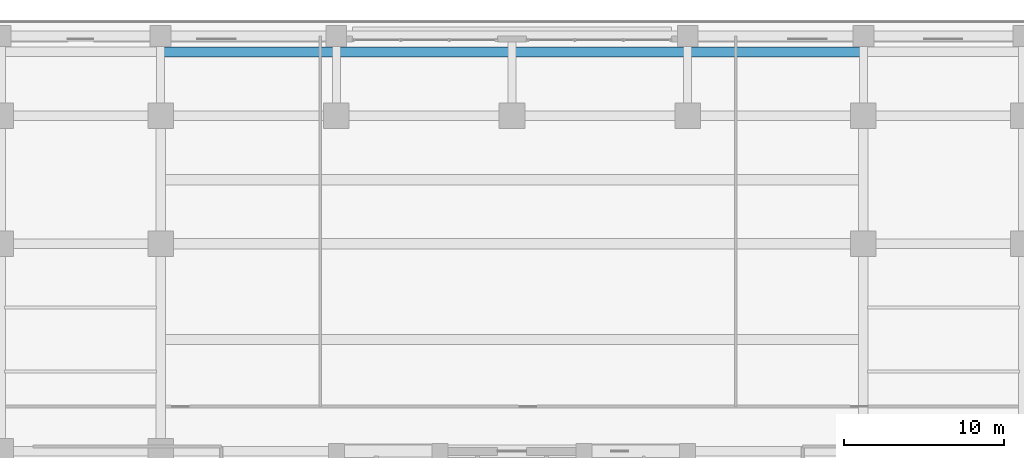
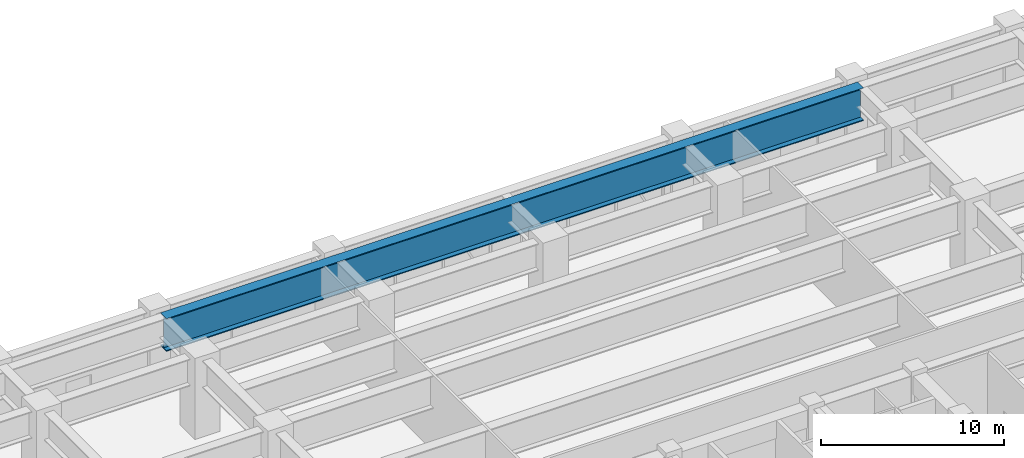
# One storey, part 9 of 28: 1 beam.
"""IFC4 building model written with IfcOpenShell, lengths in metres."""

from ifc_helpers import new_model, si_unit, direction, frame, origin, origin_2d, place, context, subcontext, project, spatial, i_section, extrude, source, transform, mapped, material, material_profile, profile_set, type_object, element, save


model = new_model("IFC4")

# Units and contexts
model_context = context("Model", 3, precision=1e-05, world=origin(), true_north=direction((0.0, 1.0)))
body_context = subcontext(model_context, "Body", "Model", "MODEL_VIEW")
ifc_project = project(units=[si_unit("LENGTHUNIT", "METRE"), si_unit("AREAUNIT", "SQUARE_METRE"), si_unit("VOLUMEUNIT", "CUBIC_METRE"), si_unit("PLANEANGLEUNIT", "RADIAN"), si_unit("MASSUNIT", "GRAM", prefix="KILO")], contexts=[model_context])

# Site, building, storey
site_placement = place(None, origin())
site = spatial("IfcSite", under=ifc_project, at=site_placement, CompositionType="ELEMENT")
building_placement = place(site_placement, origin())
building = spatial("IfcBuilding", under=site, at=building_placement, Name="Khorayat Bourse Tower", CompositionType="ELEMENT")
storey_placement = place(building_placement, frame((0.0, 0.0, 6.60009765625)))
storey = spatial("IfcBuildingStorey", under=building, at=storey_placement, Name="L01", CompositionType="ELEMENT", Elevation=6.60009765625)

# Beam
ifc_material = material(Name="Steel EN 10025-4 S460M", Category="steel")
ifc_material_profile = material_profile(ifc_material, i_section(OverallWidth=0.64990234375, OverallDepth=2.199951171875, WebThickness=0.035888671875, FlangeThickness=0.06494140625, at=origin_2d()), Name="PG 2200x650x36x65")
ifc_profile_set = profile_set([ifc_material_profile], Name="Steel EN 10025-4 S460M")
beam_type = type_object("IfcBeamType", Name="BM-TR-2200", PredefinedType="BEAM", material=ifc_profile_set)
shared_shape = source(origin(), body_context, "Body", "SweptSolid", [
    extrude(i_section(OverallWidth=0.64990234375, OverallDepth=2.199951171875, WebThickness=0.035888671875, FlangeThickness=0.06494140625, at=origin_2d()), origin(), (0.0, 0.0, 1.0), 44.0),
])
beam_placement = place(storey_placement, frame((-22.0, 36.0, 3.97998046875), z_axis=(1.0, 0.0, 0.0), x_axis=(0.0, 1.0, 0.0)))
element("IfcBeam", 1, at=beam_placement, inside=storey, type_object=beam_type, Name="L01 BM-TR-2200 BM-L01-PGX-088", PredefinedType="BEAM", context=body_context, shape_type="MappedRepresentation", body=[
    mapped(shared_shape, transform((0.0, 0.0, 0.0), scale=1.0)),
])

save(model, "model.ifc")
